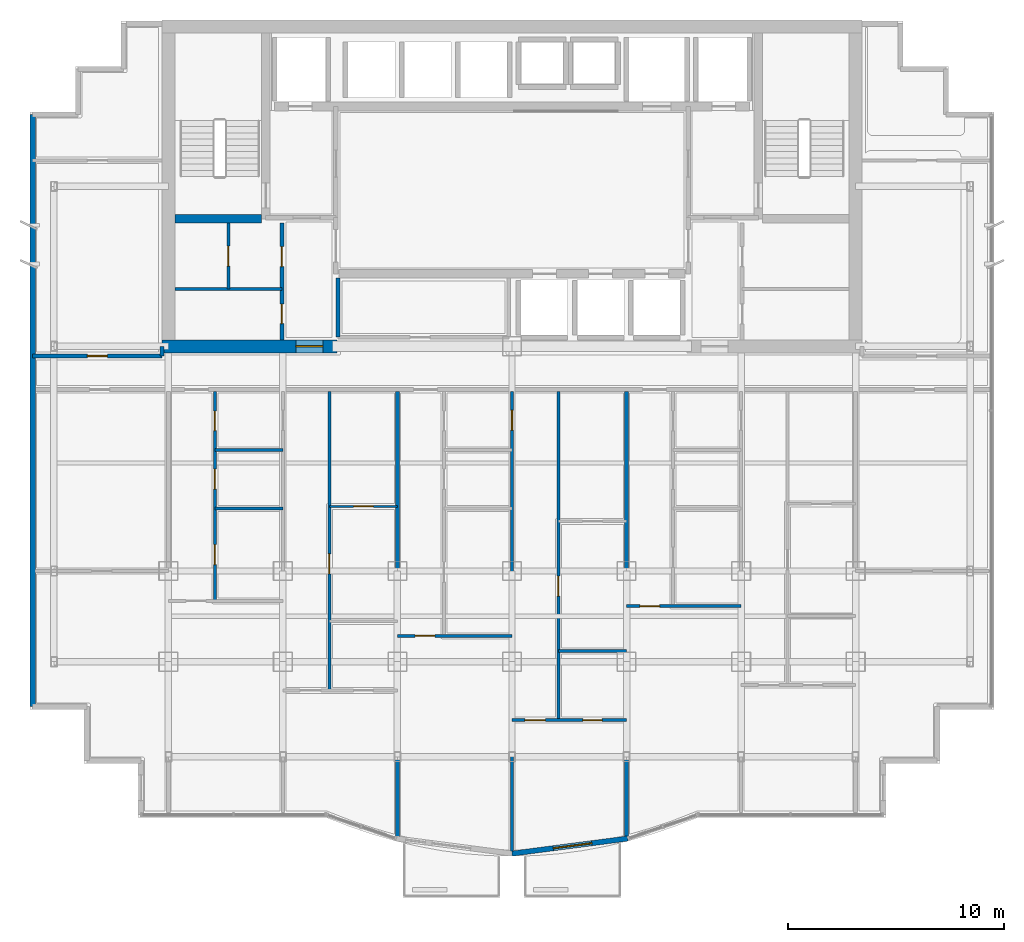
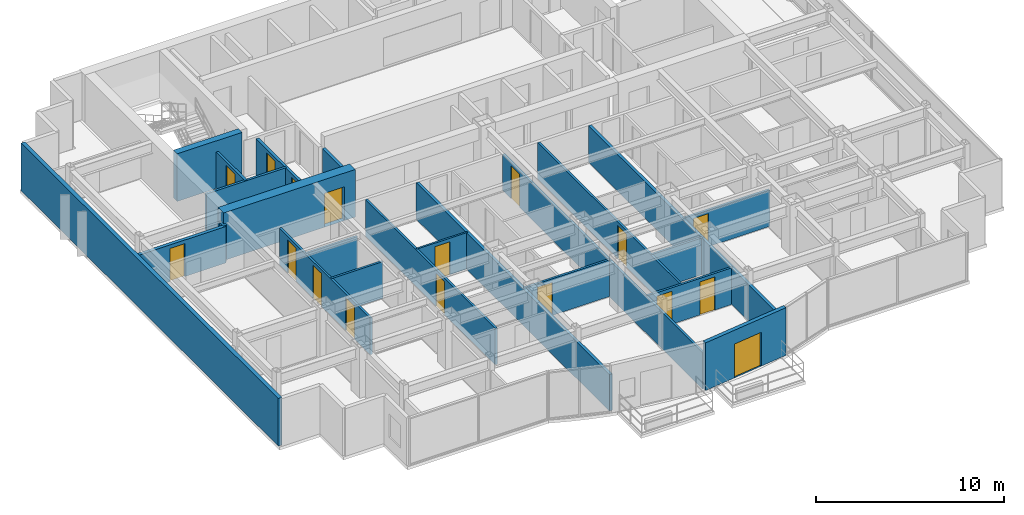
# One storey, part 8 of 13: 23 walls, 17 doors, 17 openings.
"""IFC4 building model written with IfcOpenShell, lengths in metres."""

from ifc_helpers import new_model, si_unit, direction, frame, frame_2d, origin, place, context, subcontext, project, spatial, rectangle, extrude, material, layer, layer_set, type_object, element, fill, save


model = new_model("IFC4")

# Units and contexts
model_context = context("Model", 3, precision=1e-05, world=origin(), true_north=direction((0.0, 1.0)))
body_context = subcontext(model_context, "Body", "Model", "MODEL_VIEW")
ifc_project = project(units=[si_unit("LENGTHUNIT", "METRE"), si_unit("AREAUNIT", "SQUARE_METRE"), si_unit("VOLUMEUNIT", "CUBIC_METRE"), si_unit("PLANEANGLEUNIT", "RADIAN"), si_unit("MASSUNIT", "GRAM", prefix="KILO")], contexts=[model_context])

# Site, building, storey
site_placement = place(None, origin())
site = spatial("IfcSite", under=ifc_project, at=site_placement, CompositionType="ELEMENT")
building_placement = place(site_placement, origin())
building = spatial("IfcBuilding", under=site, at=building_placement, Name="Qianlan Lanfeng Residences", CompositionType="ELEMENT")
storey_placement = place(building_placement, frame((0.0, 0.0, 159.0)))
storey = spatial("IfcBuildingStorey", under=building, at=storey_placement, Name="L43", CompositionType="ELEMENT", Elevation=159.0)

# Wall
ifc_material_1 = material(Name="Concrete C56", Category="concrete")
ifc_layer_1 = layer(ifc_material_1, 0.39990234375)
ifc_layer_set_1 = layer_set([ifc_layer_1], Name="Concrete C56")
wall_type_1 = type_object("IfcWallType", Name="CW-RC-400", PredefinedType="SHEAR", material=ifc_layer_set_1)
wall_1_placement = place(storey_placement, frame((10.89990234375, 31.10009765625, 0.0), z_axis=(0.0, 0.0, 1.0), x_axis=(1.0, 0.0, 0.0)))
element("IfcWall", 1, at=wall_1_placement, inside=storey, type_object=wall_type_1, Name="L43 Core Shear Wall ST1S", PredefinedType="SHEAR", context=body_context, shape_type="SweptSolid", body=[
    extrude(rectangle(XDim=4.0, YDim=0.39990234375, at=frame_2d((2.0, 0.0))), origin(), (0.0, 0.0, 1.0), 3.10009765625),
])

# Wall, opening, door
ifc_layer_2 = layer(ifc_material_1, 0.60009765625)
ifc_layer_set_2 = layer_set([ifc_layer_2], Name="Concrete C56")
wall_type_2 = type_object("IfcWallType", Name="CW-RC-600", PredefinedType="SHEAR", material=ifc_layer_set_2)
wall_2_placement = place(storey_placement, frame((10.300048828125, 25.199951171875, 0.0), z_axis=(0.0, 0.0, 1.0), x_axis=(1.0, 0.0, 0.0)))
wall_2 = element("IfcWall", 2, at=wall_2_placement, inside=storey, type_object=wall_type_2, Name="L43 Core Shear Wall SW", PredefinedType="SHEAR", context=body_context, shape_type="SweptSolid", body=[
    extrude(rectangle(XDim=8.099853515625, YDim=0.60009765625, at=frame_2d((4.0498046875, 0.0))), origin(), (0.0, 0.0, 1.0), 3.10009765625),
])
opening_1_placement = place(wall_2_placement, frame((6.199951171875, 0.0, 0.0)))
opening_1 = element("IfcOpeningElement", 3, at=opening_1_placement, cuts=wall_2, Name="Opening L43-D01", PredefinedType="OPENING", context=body_context, shape_type="SweptSolid", body=[
    extrude(rectangle(XDim=1.25, YDim=2.199951171875, at=frame_2d((0.625, 1.10009765625))), frame((0.0, 0.31005859375, 0.0), z_axis=(0.0, -1.0, 0.0), x_axis=(1.0, 0.0, 0.0)), (0.0, 0.0, 1.0), 0.6201171875),
])
ifc_material_2 = material(Name="Painted Galvanised Steel Fire Door", Category="steel")
door_type_1 = type_object("IfcDoorType", Name="DT-FFL", OperationType="NOTDEFINED", PredefinedType="DOOR", material=ifc_material_2)
door_1_placement = place(opening_1_placement, origin())
door_1 = element("IfcDoor", 4, at=door_1_placement, inside=storey, type_object=door_type_1, Name="L43 West Core Lobby Smoke Door L43-D01 (DT-FFL)", OperationType="SINGLE_SWING_RIGHT", OverallHeight=2.199951171875, OverallWidth=1.25, PredefinedType="DOOR", context=body_context, shape_type="SweptSolid", body=[
    extrude(rectangle(XDim=1.25, YDim=2.199951171875, at=frame_2d((0.625, 1.10009765625))), frame((0.0, 0.02490234375, 0.0), z_axis=(0.0, -1.0, 0.0), x_axis=(1.0, 0.0, 0.0)), (0.0, 0.0, 1.0), 0.050048828125),
])
fill(opening_1, door_1)

ifc_material_3 = material(Name="Concrete C42", Category="concrete")
ifc_layer_3 = layer(ifc_material_3, 0.239990234375)
ifc_layer_set_3 = layer_set([ifc_layer_3], Name="Concrete C42")
wall_type_3 = type_object("IfcWallType", Name="EW-240", PredefinedType="SOLIDWALL", material=ifc_layer_set_3)
wall_3_placement = place(storey_placement, frame((26.5, 1.719970703125, 0.0), z_axis=(0.0, 0.0, 1.0), x_axis=(0.991594614239, 0.129383619568, 0.0)))
wall_3 = element("IfcWall", 5, at=wall_3_placement, inside=storey, type_object=wall_type_3, Name="L43 Terrace/Balcony Access Exterior Wall 6", PredefinedType="SOLIDWALL", context=body_context, shape_type="SweptSolid", body=[
    extrude(rectangle(XDim=5.40234375, YDim=0.239990234375, at=frame_2d((2.701171875, 0.0))), origin(), (0.0, 0.0, 1.0), 3.10009765625),
])
opening_2_placement = place(wall_3_placement, frame((1.930908203125, 0.0, 0.0)))
opening_2 = element("IfcOpeningElement", 6, at=opening_2_placement, cuts=wall_3, Name="Opening L43-D-SB-E", PredefinedType="OPENING", context=body_context, shape_type="SweptSolid", body=[
    extrude(rectangle(XDim=1.800048828125, YDim=2.199951171875, at=frame_2d((0.89990234375, 1.10009765625))), frame((0.0, 0.1298828125, 0.0), z_axis=(0.0, -1.0, 0.0), x_axis=(1.0, 0.0, 0.0)), (0.0, 0.0, 1.0), 0.260009765625),
])
ifc_material_4 = material(Name="Anodised Bronze Aluminium Framed Glass", Category="aluminium")
door_type_2 = type_object("IfcDoorType", Name="DT-BAL1", OperationType="NOTDEFINED", PredefinedType="DOOR", material=ifc_material_4)
door_2_placement = place(opening_2_placement, frame((1.800048828125, 0.0, 0.0), z_axis=(0.0, 0.0, 1.0), x_axis=(-1.0, 0.0, 0.0)))
door_2 = element("IfcDoor", 7, at=door_2_placement, inside=storey, type_object=door_type_2, Name="L43 Exterior Access Door SB-E", OperationType="DOUBLE_DOOR_SLIDING", OverallHeight=2.199951171875, OverallWidth=1.800048828125, PredefinedType="DOOR", context=body_context, shape_type="SweptSolid", body=[
    extrude(rectangle(XDim=1.800048828125, YDim=2.199951171875, at=frame_2d((0.89990234375, 1.10009765625))), frame((0.0, 0.02490234375, 0.0), z_axis=(0.0, -1.0, 0.0), x_axis=(1.0, 0.0, 0.0)), (0.0, 0.0, 1.0), 0.050048828125),
])
fill(opening_2, door_2)

# Wall
wall_4_placement = place(storey_placement, frame((4.320068359375, 35.929931640625, 0.0), z_axis=(0.0, 0.0, 1.0), x_axis=(0.0, -1.0, 0.0)))
element("IfcWall", 8, at=wall_4_placement, inside=storey, type_object=wall_type_3, Name="L43 Exterior Facade Spandrel Wall 21", PredefinedType="SOLIDWALL", context=body_context, shape_type="SweptSolid", body=[
    extrude(rectangle(XDim=27.409912109375, YDim=0.239990234375, at=frame_2d((13.705078125, 0.0))), origin(), (0.0, 0.0, 1.0), 3.10009765625),
])

# Wall, opening, door
ifc_material_5 = material(Name="Demountable Acoustic Framing Partition 110 mm")
ifc_layer_4 = layer(ifc_material_5, 0.110107421875)
ifc_layer_set_4 = layer_set([ifc_layer_4], Name="Demountable Acoustic Framing Partition 110 mm")
wall_type_4 = type_object("IfcWallType", Name="PW-110", PredefinedType="MOVABLE", material=ifc_layer_set_4)
wall_5_placement = place(storey_placement, frame((18.050048828125, 17.787109375, 0.0), z_axis=(0.0, 0.0, 1.0), x_axis=(1.0, 0.0, 0.0)))
wall_5 = element("IfcWall", 9, at=wall_5_placement, inside=storey, type_object=wall_type_4, Name="L43 U01 Wardrobe Split", PredefinedType="MOVABLE", context=body_context, shape_type="SweptSolid", body=[
    extrude(rectangle(XDim=3.14990234375, YDim=0.110107421875, at=frame_2d((1.574951171875, 0.0))), origin(), (0.0, 0.0, 1.0), 2.3798828125),
])
opening_3_placement = place(wall_5_placement, frame((1.114990234375, 0.0, 0.0)))
opening_3 = element("IfcOpeningElement", 10, at=opening_3_placement, cuts=wall_5, Name="Opening L43-D26", PredefinedType="OPENING", context=body_context, shape_type="SweptSolid", body=[
    extrude(rectangle(XDim=0.919921875, YDim=2.14990234375, at=frame_2d((0.4599609375, 1.074951171875))), frame((0.0, 0.06494140625, 0.0), z_axis=(0.0, -1.0, 0.0), x_axis=(1.0, 0.0, 0.0)), (0.0, 0.0, 1.0), 0.130126953125),
])
ifc_material_6 = material(Name="Glazed Timber Kitchen/Study Door", Category="wood")
door_type_3 = type_object("IfcDoorType", Name="DT-INT", OperationType="NOTDEFINED", PredefinedType="DOOR", material=ifc_material_6)
door_3_placement = place(opening_3_placement, origin())
door_3 = element("IfcDoor", 11, at=door_3_placement, inside=storey, type_object=door_type_3, Name="L43 U01 Dressing Inner Door L43-D26 (DT-INT)", OperationType="SINGLE_SWING_LEFT", OverallHeight=2.14990234375, OverallWidth=0.919921875, PredefinedType="DOOR", context=body_context, shape_type="SweptSolid", body=[
    extrude(rectangle(XDim=0.919921875, YDim=2.14990234375, at=frame_2d((0.4599609375, 1.074951171875))), frame((0.0, 0.02490234375, 0.0), z_axis=(0.0, -1.0, 0.0), x_axis=(1.0, 0.0, 0.0)), (0.0, 0.0, 1.0), 0.050048828125),
])
fill(opening_3, door_3)

# Wall, openings, doors
ifc_material_7 = material(Name="Moisture-Resistant Gypsum Partition 135 mm")
ifc_layer_5 = layer(ifc_material_7, 0.135009765625)
ifc_layer_set_5 = layer_set([ifc_layer_5], Name="Moisture-Resistant Gypsum Partition 135 mm")
wall_type_5 = type_object("IfcWallType", Name="PW-135", PredefinedType="PARTITIONING", material=ifc_layer_set_5)
wall_6_placement = place(storey_placement, frame((12.75, 13.419921875, 0.0), z_axis=(0.0, 0.0, 1.0), x_axis=(0.0, 1.0, 0.0)))
wall_6 = element("IfcWall", 12, at=wall_6_placement, inside=storey, type_object=wall_type_5, Name="L43 U01 Entry Hall Spine", PredefinedType="PARTITIONING", context=body_context, shape_type="SweptSolid", body=[
    extrude(rectangle(XDim=9.68017578125, YDim=0.135009765625, at=frame_2d((4.840087890625, 0.0))), origin(), (0.0, 0.0, 1.0), 2.3798828125),
])
opening_4_placement = place(wall_6_placement, frame((1.679931640625, 0.0, 0.0)))
opening_4 = element("IfcOpeningElement", 13, at=opening_4_placement, cuts=wall_6, Name="Opening L43-D20", PredefinedType="OPENING", context=body_context, shape_type="SweptSolid", body=[
    extrude(rectangle(XDim=0.919921875, YDim=2.14990234375, at=frame_2d((0.4599609375, 1.074951171875))), frame((0.0, 0.07763671875, 0.0), z_axis=(0.0, -1.0, 0.0), x_axis=(1.0, 0.0, 0.0)), (0.0, 0.0, 1.0), 0.155029296875),
])
opening_5_placement = place(wall_6_placement, frame((5.169921875, 0.0, 0.0)))
opening_5 = element("IfcOpeningElement", 14, at=opening_5_placement, cuts=wall_6, Name="Opening L43-D21", PredefinedType="OPENING", context=body_context, shape_type="SweptSolid", body=[
    extrude(rectangle(XDim=0.919921875, YDim=2.14990234375, at=frame_2d((0.4599609375, 1.074951171875))), frame((0.0, 0.07763671875, 0.0), z_axis=(0.0, -1.0, 0.0), x_axis=(1.0, 0.0, 0.0)), (0.0, 0.0, 1.0), 0.155029296875),
])
opening_6_placement = place(wall_6_placement, frame((7.8798828125, 0.0, 0.0)))
opening_6 = element("IfcOpeningElement", 15, at=opening_6_placement, cuts=wall_6, Name="Opening L43-D22", PredefinedType="OPENING", context=body_context, shape_type="SweptSolid", body=[
    extrude(rectangle(XDim=0.89990234375, YDim=2.14990234375, at=frame_2d((0.449951171875, 1.074951171875))), frame((0.0, 0.07763671875, 0.0), z_axis=(0.0, -1.0, 0.0), x_axis=(1.0, 0.0, 0.0)), (0.0, 0.0, 1.0), 0.155029296875),
])
door_4_placement = place(opening_4_placement, origin())
door_4 = element("IfcDoor", 16, at=door_4_placement, inside=storey, type_object=door_type_3, Name="L43 U01 Study Door L43-D20 (DT-INT)", OperationType="SINGLE_SWING_LEFT", OverallHeight=2.14990234375, OverallWidth=0.919921875, PredefinedType="DOOR", context=body_context, shape_type="SweptSolid", body=[
    extrude(rectangle(XDim=0.919921875, YDim=2.14990234375, at=frame_2d((0.4599609375, 1.074951171875))), frame((0.0, 0.02490234375, 0.0), z_axis=(0.0, -1.0, 0.0), x_axis=(1.0, 0.0, 0.0)), (0.0, 0.0, 1.0), 0.050048828125),
])
fill(opening_4, door_4)
door_5_placement = place(opening_5_placement, origin())
door_5 = element("IfcDoor", 17, at=door_5_placement, inside=storey, type_object=door_type_3, Name="L43 U01 Kitchen Door L43-D21 (DT-INT)", OperationType="SINGLE_SWING_RIGHT", OverallHeight=2.14990234375, OverallWidth=0.919921875, PredefinedType="DOOR", context=body_context, shape_type="SweptSolid", body=[
    extrude(rectangle(XDim=0.919921875, YDim=2.14990234375, at=frame_2d((0.4599609375, 1.074951171875))), frame((0.0, 0.02490234375, 0.0), z_axis=(0.0, -1.0, 0.0), x_axis=(1.0, 0.0, 0.0)), (0.0, 0.0, 1.0), 0.050048828125),
])
fill(opening_5, door_5)
ifc_material_8 = material(Name="Moisture-Resistant Timber Leaf", Category="wood")
door_type_4 = type_object("IfcDoorType", Name="DT-WC", OperationType="NOTDEFINED", PredefinedType="DOOR", material=ifc_material_8)
door_6_placement = place(opening_6_placement, origin())
door_6 = element("IfcDoor", 18, at=door_6_placement, inside=storey, type_object=door_type_4, Name="L43 U01 Bathroom Door L43-D22 (DT-WC)", OperationType="SINGLE_SWING_LEFT", OverallHeight=2.14990234375, OverallWidth=0.89990234375, PredefinedType="DOOR", context=body_context, shape_type="SweptSolid", body=[
    extrude(rectangle(XDim=0.89990234375, YDim=2.14990234375, at=frame_2d((0.449951171875, 1.074951171875))), frame((0.0, 0.02490234375, 0.0), z_axis=(0.0, -1.0, 0.0), x_axis=(1.0, 0.0, 0.0)), (0.0, 0.0, 1.0), 0.050048828125),
])
fill(opening_6, door_6)

# Walls
for number, where, z_axis, x_axis, name in (
    (19, (12.75, 17.699951171875, 0.0), (0.0, 0.0, 1.0), (1.0, 0.0, 0.0), "L43 U01 Kitchen South Wall"),
    (20, (12.75, 20.39990234375, 0.0), (0.0, 0.0, 1.0), (1.0, 0.0, 0.0), "L43 U01 Bathroom South Wall"),
):
    element("IfcWall", number, at=place(storey_placement, frame(where, z_axis=z_axis, x_axis=x_axis)), inside=storey, type_object=wall_type_5, Name=name, PredefinedType="PARTITIONING", context=body_context, shape_type="SweptSolid", body=[
        extrude(rectangle(XDim=3.14990234375, YDim=0.135009765625, at=frame_2d((1.574951171875, 0.0))), origin(), (0.0, 0.0, 1.0), 2.3798828125),
    ])

# Wall, opening, door
wall_7_placement = place(storey_placement, frame((18.050048828125, 9.27392578125, 0.0), z_axis=(0.0, 0.0, 1.0), x_axis=(0.0, 1.0, 0.0)))
wall_7 = element("IfcWall", 21, at=wall_7_placement, inside=storey, type_object=wall_type_5, Name="L43 U01 Master Passage Wall", PredefinedType="PARTITIONING", context=body_context, shape_type="SweptSolid", body=[
    extrude(rectangle(XDim=13.826171875, YDim=0.135009765625, at=frame_2d((6.9130859375, 0.0))), origin(), (0.0, 0.0, 1.0), 2.3798828125),
])
opening_7_placement = place(wall_7_placement, frame((5.39599609375, 0.0, 0.0)))
opening_7 = element("IfcOpeningElement", 22, at=opening_7_placement, cuts=wall_7, Name="Opening L43-D25", PredefinedType="OPENING", context=body_context, shape_type="SweptSolid", body=[
    extrude(rectangle(XDim=0.919921875, YDim=2.14990234375, at=frame_2d((0.4599609375, 1.074951171875))), frame((0.0, 0.07763671875, 0.0), z_axis=(0.0, -1.0, 0.0), x_axis=(1.0, 0.0, 0.0)), (0.0, 0.0, 1.0), 0.155029296875),
])
door_7_placement = place(opening_7_placement, origin())
door_7 = element("IfcDoor", 23, at=door_7_placement, inside=storey, type_object=door_type_3, Name="L43 U01 Wardrobe Door L43-D25 (DT-INT)", OperationType="SINGLE_SWING_RIGHT", OverallHeight=2.14990234375, OverallWidth=0.919921875, PredefinedType="DOOR", context=body_context, shape_type="SweptSolid", body=[
    extrude(rectangle(XDim=0.919921875, YDim=2.14990234375, at=frame_2d((0.4599609375, 1.074951171875))), frame((0.0, 0.02490234375, 0.0), z_axis=(0.0, -1.0, 0.0), x_axis=(1.0, 0.0, 0.0)), (0.0, 0.0, 1.0), 0.050048828125),
])
fill(opening_7, door_7)

wall_8_placement = place(storey_placement, frame((26.5, 1.820068359375, 0.0), z_axis=(0.0, 0.0, 1.0), x_axis=(0.0, 1.0, 0.0)))
wall_8 = element("IfcWall", 24, at=wall_8_placement, inside=storey, type_object=wall_type_5, Name="L43 U02 Bay Spine Wall 1", PredefinedType="PARTITIONING", context=body_context, shape_type="SweptSolid", body=[
    extrude(rectangle(XDim=21.280029296875, YDim=0.135009765625, at=frame_2d((10.64013671875, 0.0))), origin(), (0.0, 0.0, 1.0), 2.3798828125),
])
opening_8_placement = place(wall_8_placement, frame((19.4951171875, 0.0, 0.0)))
opening_8 = element("IfcOpeningElement", 25, at=opening_8_placement, cuts=wall_8, Name="Opening L43-D28", PredefinedType="OPENING", context=body_context, shape_type="SweptSolid", body=[
    extrude(rectangle(XDim=0.919921875, YDim=2.14990234375, at=frame_2d((0.4599609375, 1.074951171875))), frame((0.0, 0.07763671875, 0.0), z_axis=(0.0, -1.0, 0.0), x_axis=(1.0, 0.0, 0.0)), (0.0, 0.0, 1.0), 0.155029296875),
])
door_8_placement = place(opening_8_placement, origin())
door_8 = element("IfcDoor", 26, at=door_8_placement, inside=storey, type_object=door_type_3, Name="L43 U02 Internal Hall Door L43-D28 (DT-INT)", OperationType="SINGLE_SWING_LEFT", OverallHeight=2.14990234375, OverallWidth=0.919921875, PredefinedType="DOOR", context=body_context, shape_type="SweptSolid", body=[
    extrude(rectangle(XDim=0.919921875, YDim=2.14990234375, at=frame_2d((0.4599609375, 1.074951171875))), frame((0.0, 0.02490234375, 0.0), z_axis=(0.0, -1.0, 0.0), x_axis=(1.0, 0.0, 0.0)), (0.0, 0.0, 1.0), 0.050048828125),
])
fill(opening_8, door_8)

wall_9_placement = place(storey_placement, frame((21.199951171875, 11.799072265625, 0.0), z_axis=(0.0, 0.0, 1.0), x_axis=(1.0, 0.0, 0.0)))
wall_9 = element("IfcWall", 27, at=wall_9_placement, inside=storey, type_object=wall_type_5, Name="L43 U02 Living Divider", PredefinedType="PARTITIONING", context=body_context, shape_type="SweptSolid", body=[
    extrude(rectangle(XDim=5.300048828125, YDim=0.135009765625, at=frame_2d((2.64990234375, 0.0))), origin(), (0.0, 0.0, 1.0), 2.3798828125),
])
opening_9_placement = place(wall_9_placement, frame((0.81494140625, 0.0, 0.0)))
opening_9 = element("IfcOpeningElement", 28, at=opening_9_placement, cuts=wall_9, Name="Opening L43-D29", PredefinedType="OPENING", context=body_context, shape_type="SweptSolid", body=[
    extrude(rectangle(XDim=0.919921875, YDim=2.14990234375, at=frame_2d((0.4599609375, 1.074951171875))), frame((0.0, 0.07763671875, 0.0), z_axis=(0.0, -1.0, 0.0), x_axis=(1.0, 0.0, 0.0)), (0.0, 0.0, 1.0), 0.155029296875),
])
door_9_placement = place(opening_9_placement, origin())
door_9 = element("IfcDoor", 29, at=door_9_placement, inside=storey, type_object=door_type_3, Name="L43 U02 Living Passage Door L43-D29 (DT-INT)", OperationType="SINGLE_SWING_LEFT", OverallHeight=2.14990234375, OverallWidth=0.919921875, PredefinedType="DOOR", context=body_context, shape_type="SweptSolid", body=[
    extrude(rectangle(XDim=0.919921875, YDim=2.14990234375, at=frame_2d((0.4599609375, 1.074951171875))), frame((0.0, 0.02490234375, 0.0), z_axis=(0.0, -1.0, 0.0), x_axis=(1.0, 0.0, 0.0)), (0.0, 0.0, 1.0), 0.050048828125),
])
fill(opening_9, door_9)

# Wall, openings, doors
wall_10_placement = place(storey_placement, frame((26.5, 7.89892578125, 0.0), z_axis=(0.0, 0.0, 1.0), x_axis=(1.0, 0.0, 0.0)))
wall_10 = element("IfcWall", 30, at=wall_10_placement, inside=storey, type_object=wall_type_5, Name="L43 U02 Master Bedroom North Wall", PredefinedType="PARTITIONING", context=body_context, shape_type="SweptSolid", body=[
    extrude(rectangle(XDim=5.300048828125, YDim=0.135009765625, at=frame_2d((2.64990234375, 0.0))), origin(), (0.0, 0.0, 1.0), 2.3798828125),
])
opening_10_placement = place(wall_10_placement, frame((0.60009765625, 0.0, 0.0)))
opening_10 = element("IfcOpeningElement", 31, at=opening_10_placement, cuts=wall_10, Name="Opening L43-D33", PredefinedType="OPENING", context=body_context, shape_type="SweptSolid", body=[
    extrude(rectangle(XDim=0.949951171875, YDim=2.14990234375, at=frame_2d((0.47509765625, 1.074951171875))), frame((0.0, 0.07763671875, 0.0), z_axis=(0.0, -1.0, 0.0), x_axis=(1.0, 0.0, 0.0)), (0.0, 0.0, 1.0), 0.155029296875),
])
opening_11_placement = place(wall_10_placement, frame((3.27490234375, 0.0, 0.0)))
opening_11 = element("IfcOpeningElement", 32, at=opening_11_placement, cuts=wall_10, Name="Opening L43-D34", PredefinedType="OPENING", context=body_context, shape_type="SweptSolid", body=[
    extrude(rectangle(XDim=0.89990234375, YDim=2.14990234375, at=frame_2d((0.449951171875, 1.074951171875))), frame((0.0, 0.07763671875, 0.0), z_axis=(0.0, -1.0, 0.0), x_axis=(1.0, 0.0, 0.0)), (0.0, 0.0, 1.0), 0.155029296875),
])
ifc_material_9 = material(Name="Painted Solid-Core Timber Leaf", Category="wood")
door_type_5 = type_object("IfcDoorType", Name="DT-BED", OperationType="NOTDEFINED", PredefinedType="DOOR", material=ifc_material_9)
door_10_placement = place(opening_10_placement, frame((0.949951171875, 0.0, 0.0), z_axis=(0.0, 0.0, 1.0), x_axis=(-1.0, 0.0, 0.0)))
door_10 = element("IfcDoor", 33, at=door_10_placement, inside=storey, type_object=door_type_5, Name="L43 U02 Master Bedroom Door L43-D33 (DT-BED)", OperationType="SINGLE_SWING_RIGHT", OverallHeight=2.14990234375, OverallWidth=0.949951171875, PredefinedType="DOOR", context=body_context, shape_type="SweptSolid", body=[
    extrude(rectangle(XDim=0.949951171875, YDim=2.14990234375, at=frame_2d((0.47509765625, 1.074951171875))), frame((0.0, 0.02490234375, 0.0), z_axis=(0.0, -1.0, 0.0), x_axis=(1.0, 0.0, 0.0)), (0.0, 0.0, 1.0), 0.050048828125),
])
fill(opening_10, door_10)
door_11_placement = place(opening_11_placement, origin())
door_11 = element("IfcDoor", 34, at=door_11_placement, inside=storey, type_object=door_type_4, Name="L43 U02 En-Suite Bathroom Door L43-D34 (DT-WC)", OperationType="SINGLE_SWING_LEFT", OverallHeight=2.14990234375, OverallWidth=0.89990234375, PredefinedType="DOOR", context=body_context, shape_type="SweptSolid", body=[
    extrude(rectangle(XDim=0.89990234375, YDim=2.14990234375, at=frame_2d((0.449951171875, 1.074951171875))), frame((0.0, 0.02490234375, 0.0), z_axis=(0.0, -1.0, 0.0), x_axis=(1.0, 0.0, 0.0)), (0.0, 0.0, 1.0), 0.050048828125),
])
fill(opening_11, door_11)

# Wall, opening, door
wall_11_placement = place(storey_placement, frame((28.64990234375, 7.89892578125, 0.0), z_axis=(0.0, 0.0, 1.0), x_axis=(0.0, 1.0, 0.0)))
wall_11 = element("IfcWall", 35, at=wall_11_placement, inside=storey, type_object=wall_type_5, Name="L43 U02 Master Passage Wall", PredefinedType="PARTITIONING", context=body_context, shape_type="SweptSolid", body=[
    extrude(rectangle(XDim=15.201171875, YDim=0.135009765625, at=frame_2d((7.6005859375, 0.0))), origin(), (0.0, 0.0, 1.0), 2.3798828125),
])
opening_12_placement = place(wall_11_placement, frame((5.739990234375, 0.0, 0.0)))
opening_12 = element("IfcOpeningElement", 36, at=opening_12_placement, cuts=wall_11, Name="Opening L43-D35", PredefinedType="OPENING", context=body_context, shape_type="SweptSolid", body=[
    extrude(rectangle(XDim=0.919921875, YDim=2.14990234375, at=frame_2d((0.4599609375, 1.074951171875))), frame((0.0, 0.07763671875, 0.0), z_axis=(0.0, -1.0, 0.0), x_axis=(1.0, 0.0, 0.0)), (0.0, 0.0, 1.0), 0.155029296875),
])
door_12_placement = place(opening_12_placement, origin())
door_12 = element("IfcDoor", 37, at=door_12_placement, inside=storey, type_object=door_type_3, Name="L43 U02 Wardrobe Door L43-D35 (DT-INT)", OperationType="SINGLE_SWING_RIGHT", OverallHeight=2.14990234375, OverallWidth=0.919921875, PredefinedType="DOOR", context=body_context, shape_type="SweptSolid", body=[
    extrude(rectangle(XDim=0.919921875, YDim=2.14990234375, at=frame_2d((0.4599609375, 1.074951171875))), frame((0.0, 0.02490234375, 0.0), z_axis=(0.0, -1.0, 0.0), x_axis=(1.0, 0.0, 0.0)), (0.0, 0.0, 1.0), 0.050048828125),
])
fill(opening_12, door_12)

# Wall
wall_12_placement = place(storey_placement, frame((28.64990234375, 11.09912109375, 0.0), z_axis=(0.0, 0.0, 1.0), x_axis=(1.0, 0.0, 0.0)))
element("IfcWall", 38, at=wall_12_placement, inside=storey, type_object=wall_type_5, Name="L43 U02 En-Suite North Wall", PredefinedType="PARTITIONING", context=body_context, shape_type="SweptSolid", body=[
    extrude(rectangle(XDim=3.150146484375, YDim=0.135009765625, at=frame_2d((1.5751953125, 0.0))), origin(), (0.0, 0.0, 1.0), 2.3798828125),
])

# Wall, opening, door
wall_13_placement = place(storey_placement, frame((31.800048828125, 13.174072265625, 0.0), z_axis=(0.0, 0.0, 1.0), x_axis=(1.0, 0.0, 0.0)))
wall_13 = element("IfcWall", 39, at=wall_13_placement, inside=storey, type_object=wall_type_5, Name="L43 U03 Living Divider", PredefinedType="PARTITIONING", context=body_context, shape_type="SweptSolid", body=[
    extrude(rectangle(XDim=5.300048828125, YDim=0.135009765625, at=frame_2d((2.64990234375, 0.0))), origin(), (0.0, 0.0, 1.0), 2.3798828125),
])
opening_13_placement = place(wall_13_placement, frame((0.614990234375, 0.0, 0.0)))
opening_13 = element("IfcOpeningElement", 40, at=opening_13_placement, cuts=wall_13, Name="Opening L43-D39", PredefinedType="OPENING", context=body_context, shape_type="SweptSolid", body=[
    extrude(rectangle(XDim=0.919921875, YDim=2.14990234375, at=frame_2d((0.4599609375, 1.074951171875))), frame((0.0, 0.07763671875, 0.0), z_axis=(0.0, -1.0, 0.0), x_axis=(1.0, 0.0, 0.0)), (0.0, 0.0, 1.0), 0.155029296875),
])
door_13_placement = place(opening_13_placement, frame((0.919921875, 0.0, 0.0), z_axis=(0.0, 0.0, 1.0), x_axis=(-1.0, 0.0, 0.0)))
door_13 = element("IfcDoor", 41, at=door_13_placement, inside=storey, type_object=door_type_3, Name="L43 U03 Living Passage Door L43-D39 (DT-INT)", OperationType="SINGLE_SWING_RIGHT", OverallHeight=2.14990234375, OverallWidth=0.919921875, PredefinedType="DOOR", context=body_context, shape_type="SweptSolid", body=[
    extrude(rectangle(XDim=0.919921875, YDim=2.14990234375, at=frame_2d((0.4599609375, 1.074951171875))), frame((0.0, 0.02490234375, 0.0), z_axis=(0.0, -1.0, 0.0), x_axis=(1.0, 0.0, 0.0)), (0.0, 0.0, 1.0), 0.050048828125),
])
fill(opening_13, door_13)

# Wall
ifc_material_10 = material(Name="Acoustic Drywall Partition 150 mm")
ifc_layer_6 = layer(ifc_material_10, 0.14990234375)
ifc_layer_set_6 = layer_set([ifc_layer_6], Name="Acoustic Drywall Partition 150 mm")
wall_type_6 = type_object("IfcWallType", Name="PW-150", PredefinedType="PARTITIONING", material=ifc_layer_set_6)
wall_14_placement = place(storey_placement, frame((10.89990234375, 27.85009765625, 0.0), z_axis=(0.0, 0.0, 1.0), x_axis=(1.0, 0.0, 0.0)))
element("IfcWall", 42, at=wall_14_placement, inside=storey, type_object=wall_type_6, Name="L43 Core West H4", PredefinedType="PARTITIONING", context=body_context, shape_type="SweptSolid", body=[
    extrude(rectangle(XDim=4.9501953125, YDim=0.14990234375, at=frame_2d((2.47509765625, 0.0))), origin(), (0.0, 0.0, 1.0), 2.3798828125),
])

# Wall, opening, door
wall_15_placement = place(storey_placement, frame((13.375, 27.85009765625, 0.0), z_axis=(0.0, 0.0, 1.0), x_axis=(0.0, 1.0, 0.0)))
wall_15 = element("IfcWall", 43, at=wall_15_placement, inside=storey, type_object=wall_type_6, Name="L43 Core West V4", PredefinedType="PARTITIONING", context=body_context, shape_type="SweptSolid", body=[
    extrude(rectangle(XDim=3.0498046875, YDim=0.14990234375, at=frame_2d((1.52490234375, 0.0))), origin(), (0.0, 0.0, 1.0), 2.3798828125),
])
opening_14_placement = place(wall_15_placement, frame((1.06494140625, 0.0, 0.0)))
opening_14 = element("IfcOpeningElement", 44, at=opening_14_placement, cuts=wall_15, Name="Opening L43-D11", PredefinedType="OPENING", context=body_context, shape_type="SweptSolid", body=[
    extrude(rectangle(XDim=0.919921875, YDim=2.14990234375, at=frame_2d((0.4599609375, 1.074951171875))), frame((0.0, 0.0849609375, 0.0), z_axis=(0.0, -1.0, 0.0), x_axis=(1.0, 0.0, 0.0)), (0.0, 0.0, 1.0), 0.169921875),
])
door_14_placement = place(opening_14_placement, origin())
door_14 = element("IfcDoor", 45, at=door_14_placement, inside=storey, type_object=door_type_3, Name="L43 Linen Store Door L43-D11 (DT-INT)", OperationType="SINGLE_SWING_RIGHT", OverallHeight=2.14990234375, OverallWidth=0.919921875, PredefinedType="DOOR", context=body_context, shape_type="SweptSolid", body=[
    extrude(rectangle(XDim=0.919921875, YDim=2.14990234375, at=frame_2d((0.4599609375, 1.074951171875))), frame((0.0, 0.02490234375, 0.0), z_axis=(0.0, -1.0, 0.0), x_axis=(1.0, 0.0, 0.0)), (0.0, 0.0, 1.0), 0.050048828125),
])
fill(opening_14, door_14)

# Wall, openings, doors
ifc_material_11 = material(Name="Double-Layer Acoustic Gypsum Stud Wall 180 mm")
ifc_layer_7 = layer(ifc_material_11, 0.179931640625)
ifc_layer_set_7 = layer_set([ifc_layer_7], Name="Double-Layer Acoustic Gypsum Stud Wall 180 mm")
wall_type_7 = type_object("IfcWallType", Name="PW-180", PredefinedType="PARTITIONING", material=ifc_layer_set_7)
wall_16_placement = place(storey_placement, frame((15.85009765625, 25.5, 0.0), z_axis=(0.0, 0.0, 1.0), x_axis=(0.0, 1.0, 0.0)))
wall_16 = element("IfcWall", 46, at=wall_16_placement, inside=storey, type_object=wall_type_7, Name="L43 Core West Service Room Wall", PredefinedType="PARTITIONING", context=body_context, shape_type="SweptSolid", body=[
    extrude(rectangle(XDim=5.39990234375, YDim=0.179931640625, at=frame_2d((2.699951171875, 0.0))), origin(), (0.0, 0.0, 1.0), 2.3798828125),
])
opening_15_placement = place(wall_16_placement, frame((0.75, 0.0, 0.0)))
opening_15 = element("IfcOpeningElement", 47, at=opening_15_placement, cuts=wall_16, Name="Opening L43-D09", PredefinedType="OPENING", context=body_context, shape_type="SweptSolid", body=[
    extrude(rectangle(XDim=0.89990234375, YDim=2.14990234375, at=frame_2d((0.449951171875, 1.074951171875))), frame((0.0, 0.10009765625, 0.0), z_axis=(0.0, -1.0, 0.0), x_axis=(1.0, 0.0, 0.0)), (0.0, 0.0, 1.0), 0.199951171875),
])
opening_16_placement = place(wall_16_placement, frame((3.389892578125, 0.0, 0.0)))
opening_16 = element("IfcOpeningElement", 48, at=opening_16_placement, cuts=wall_16, Name="Opening L43-D10", PredefinedType="OPENING", context=body_context, shape_type="SweptSolid", body=[
    extrude(rectangle(XDim=0.919921875, YDim=2.14990234375, at=frame_2d((0.4599609375, 1.074951171875))), frame((0.0, 0.10009765625, 0.0), z_axis=(0.0, -1.0, 0.0), x_axis=(1.0, 0.0, 0.0)), (0.0, 0.0, 1.0), 0.199951171875),
])
door_15_placement = place(opening_16_placement, origin())
door_15 = element("IfcDoor", 49, at=door_15_placement, inside=storey, type_object=door_type_3, Name="L43 Janitor Hall Door L43-D10 (DT-INT)", OperationType="SINGLE_SWING_LEFT", OverallHeight=2.14990234375, OverallWidth=0.919921875, PredefinedType="DOOR", context=body_context, shape_type="SweptSolid", body=[
    extrude(rectangle(XDim=0.919921875, YDim=2.14990234375, at=frame_2d((0.4599609375, 1.074951171875))), frame((0.0, 0.02490234375, 0.0), z_axis=(0.0, -1.0, 0.0), x_axis=(1.0, 0.0, 0.0)), (0.0, 0.0, 1.0), 0.050048828125),
])
fill(opening_16, door_15)
door_16_placement = place(opening_15_placement, origin())
door_16 = element("IfcDoor", 50, at=door_16_placement, inside=storey, type_object=door_type_4, Name="L43 Staff WC Door L43-D09 (DT-WC)", OperationType="SINGLE_SWING_LEFT", OverallHeight=2.14990234375, OverallWidth=0.89990234375, PredefinedType="DOOR", context=body_context, shape_type="SweptSolid", body=[
    extrude(rectangle(XDim=0.89990234375, YDim=2.14990234375, at=frame_2d((0.449951171875, 1.074951171875))), frame((0.0, 0.02490234375, 0.0), z_axis=(0.0, -1.0, 0.0), x_axis=(1.0, 0.0, 0.0)), (0.0, 0.0, 1.0), 0.050048828125),
])
fill(opening_15, door_16)

# Walls
wall_17_placement = place(storey_placement, frame((18.449951171875, 25.6201171875, 0.0), z_axis=(0.0, 0.0, 1.0), x_axis=(0.0, 1.0, 0.0)))
element("IfcWall", 51, at=wall_17_placement, inside=storey, type_object=wall_type_7, Name="L43 Reclaimed Low-Bank Room West Wall", PredefinedType="PARTITIONING", context=body_context, shape_type="SweptSolid", body=[
    extrude(rectangle(XDim=2.72998046875, YDim=0.179931640625, at=frame_2d((1.364990234375, 0.0))), origin(), (0.0, 0.0, 1.0), 2.3798828125),
])
wall_18_placement = place(storey_placement, frame((21.199951171875, 2.508056640625, 0.0), z_axis=(0.0, 0.0, 1.0), x_axis=(0.0, 1.0, 0.0)))
element("IfcWall", 52, at=wall_18_placement, inside=storey, type_object=wall_type_7, Name="L43 Inter-Tenancy Party Wall 2", PredefinedType="PARTITIONING", context=body_context, shape_type="SweptSolid", body=[
    extrude(rectangle(XDim=20.592041015625, YDim=0.179931640625, at=frame_2d((10.2958984375, 0.0))), origin(), (0.0, 0.0, 1.0), 2.3798828125),
])
wall_19_placement = place(storey_placement, frame((31.800048828125, 2.509033203125, 0.0), z_axis=(0.0, 0.0, 1.0), x_axis=(0.0, 1.0, 0.0)))
element("IfcWall", 53, at=wall_19_placement, inside=storey, type_object=wall_type_7, Name="L43 Inter-Tenancy Party Wall 3", PredefinedType="PARTITIONING", context=body_context, shape_type="SweptSolid", body=[
    extrude(rectangle(XDim=20.591064453125, YDim=0.179931640625, at=frame_2d((10.29541015625, 0.0))), origin(), (0.0, 0.0, 1.0), 2.3798828125),
])

# Wall, opening, door
ifc_material_12 = material(Name="Autoclaved Aerated Concrete Blockwork 200 mm", Category="masonry")
ifc_layer_8 = layer(ifc_material_12, 0.199951171875)
ifc_layer_set_8 = layer_set([ifc_layer_8], Name="Autoclaved Aerated Concrete Blockwork 200 mm")
wall_type_8 = type_object("IfcWallType", Name="PW-200", PredefinedType="PARTITIONING", material=ifc_layer_set_8)
wall_20_placement = place(storey_placement, frame((4.320068359375, 24.75, 0.0), z_axis=(0.0, 0.0, 1.0), x_axis=(1.0, 0.0, 0.0)))
wall_20 = element("IfcWall", 54, at=wall_20_placement, inside=storey, type_object=wall_type_8, Name="L43 Corridor NW Wall", PredefinedType="PARTITIONING", context=body_context, shape_type="SweptSolid", body=[
    extrude(rectangle(XDim=5.97998046875, YDim=0.199951171875, at=frame_2d((2.989990234375, 0.0))), origin(), (0.0, 0.0, 1.0), 2.3798828125),
])
opening_17_placement = place(wall_20_placement, frame((2.530029296875, 0.0, 0.0)))
opening_17 = element("IfcOpeningElement", 55, at=opening_17_placement, cuts=wall_20, Name="Opening L43-D52", PredefinedType="OPENING", context=body_context, shape_type="SweptSolid", body=[
    extrude(rectangle(XDim=0.919921875, YDim=2.14990234375, at=frame_2d((0.4599609375, 1.074951171875))), frame((0.0, 0.10986328125, 0.0), z_axis=(0.0, -1.0, 0.0), x_axis=(1.0, 0.0, 0.0)), (0.0, 0.0, 1.0), 0.219970703125),
])
door_17_placement = place(opening_17_placement, origin())
door_17 = element("IfcDoor", 56, at=door_17_placement, inside=storey, type_object=door_type_3, Name="L43 WW Amenity Salon Door L43-D52 (DT-INT)", OperationType="SINGLE_SWING_LEFT", OverallHeight=2.14990234375, OverallWidth=0.919921875, PredefinedType="DOOR", context=body_context, shape_type="SweptSolid", body=[
    extrude(rectangle(XDim=0.919921875, YDim=2.14990234375, at=frame_2d((0.4599609375, 1.074951171875))), frame((0.0, 0.02490234375, 0.0), z_axis=(0.0, -1.0, 0.0), x_axis=(1.0, 0.0, 0.0)), (0.0, 0.0, 1.0), 0.050048828125),
])
fill(opening_17, door_17)

# Wall
wall_21_placement = place(storey_placement, frame((10.300048828125, 24.75, 0.0), z_axis=(0.0, 0.0, 1.0), x_axis=(0.0, 1.0, 0.0)))
element("IfcWall", 57, at=wall_21_placement, inside=storey, type_object=wall_type_8, Name="L43 NW Wing Core Return Wall", PredefinedType="PARTITIONING", context=body_context, shape_type="SweptSolid", body=[
    extrude(rectangle(XDim=0.449951171875, YDim=0.199951171875, at=frame_2d((0.22509765625, 0.0))), origin(), (0.0, 0.0, 1.0), 2.3798828125),
])

save(model, "model.ifc")
